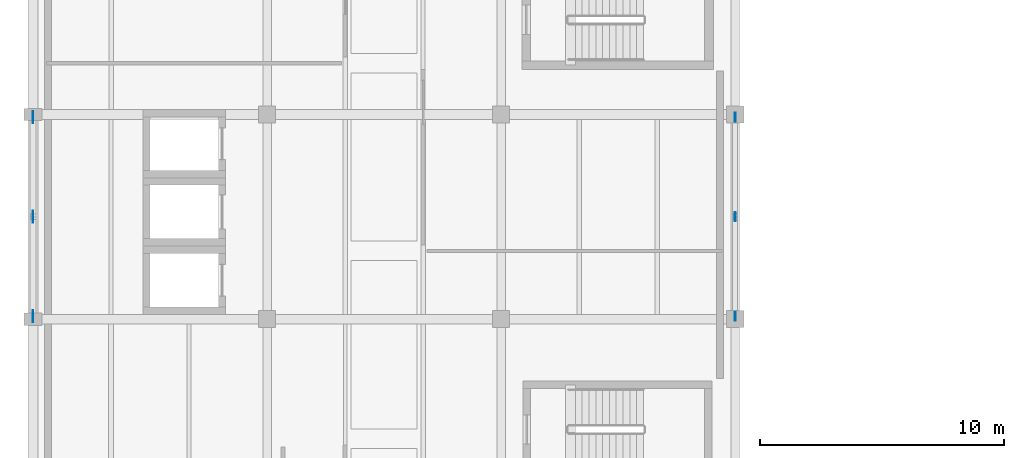
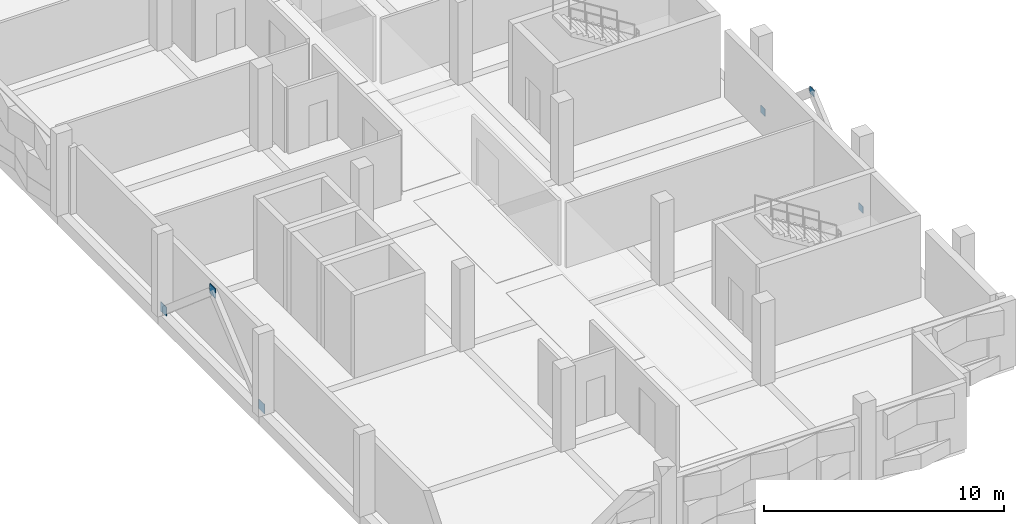
# One storey, part 32 of 57: 6 plates.
"""IFC4 building model written with IfcOpenShell, lengths in metres."""

from ifc_helpers import new_model, si_unit, direction, frame, origin, origin_2d, place, context, subcontext, project, spatial, rectangle, extrude, material, layer, layer_set, type_object, element, save


model = new_model("IFC4")

# Units and contexts
model_context = context("Model", 3, precision=1e-05, world=origin(), true_north=direction((0.0, 1.0)))
body_context = subcontext(model_context, "Body", "Model", "MODEL_VIEW")
ifc_project = project(units=[si_unit("LENGTHUNIT", "METRE"), si_unit("AREAUNIT", "SQUARE_METRE"), si_unit("VOLUMEUNIT", "CUBIC_METRE"), si_unit("PLANEANGLEUNIT", "RADIAN"), si_unit("MASSUNIT", "GRAM", prefix="KILO")], contexts=[model_context])

# Site, building, storey
site_placement = place(None, origin())
site = spatial("IfcSite", under=ifc_project, at=site_placement, CompositionType="ELEMENT")
building_placement = place(site_placement, origin())
building = spatial("IfcBuilding", under=site, at=building_placement, Name="Oolite Switchyard Hospital", CompositionType="ELEMENT")
storey_placement = place(building_placement, frame((0.0, 0.0, 17.800048828125)))
storey = spatial("IfcBuildingStorey", under=building, at=storey_placement, Name="L04", CompositionType="ELEMENT", Elevation=17.800048828125)

# Plates
ifc_material = material(Name="Steel ASTM A572 Grade 50", Category="steel")
ifc_layer_1 = layer(ifc_material, 0.02392578125)
ifc_layer_set_1 = layer_set([ifc_layer_1], Name="PLT-GUS-360")
plate_type_1 = type_object("IfcPlateType", Name="PLT-GUS-360", PredefinedType="SHEET", material=ifc_layer_set_1)
for number, where, z_axis, x_axis, name in (
    (1, (28.800048828125, 50.52001953125, 0.02001953125), (0.0, 0.0, 1.0), (0.0, 1.0, 0.0), "L04 Brace Base Gusset Plate 34"),
    (2, (28.800048828125, 58.679931640625, 0.02001953125), (0.0, 0.0, 1.0), (0.0, 1.0, 0.0), "L04 Brace Base Gusset Plate 35"),
    (3, (28.800048828125, 54.60009765625, 3.4697265625), (0.0, 0.0, 1.0), (0.0, 1.0, 0.0), "L04 Gusset Connection Plate 36"),
):
    element("IfcPlate", number, at=place(storey_placement, frame(where, z_axis=z_axis, x_axis=x_axis)), inside=storey, type_object=plate_type_1, Name=name, PredefinedType="SHEET", context=body_context, shape_type="SweptSolid", body=[
        extrude(rectangle(XDim=0.360107421875, YDim=0.02392578125, at=origin_2d()), origin(), (0.0, 0.0, 1.0), 0.360107421875),
    ])
ifc_layer_2 = layer(ifc_material, 0.031982421875)
ifc_layer_set_2 = layer_set([ifc_layer_2], Name="PLT-GUS-480")
plate_type_2 = type_object("IfcPlateType", Name="PLT-GUS-480", PredefinedType="SHEET", material=ifc_layer_set_2)
for number, where, z_axis, x_axis, name in (
    (4, (0.0, 50.52001953125, -0.0400390625), (0.0, 0.0, 1.0), (0.0, 1.0, 0.0), "L04 Brace Base Gusset Plate 13"),
    (5, (0.0, 58.679931640625, -0.0400390625), (0.0, 0.0, 1.0), (0.0, 1.0, 0.0), "L04 Brace Base Gusset Plate 14"),
    (6, (0.0, 54.60009765625, 3.35986328125), (0.0, 0.0, 1.0), (0.0, 1.0, 0.0), "L04 Gusset Connection Plate 15"),
):
    element("IfcPlate", number, at=place(storey_placement, frame(where, z_axis=z_axis, x_axis=x_axis)), inside=storey, type_object=plate_type_2, Name=name, PredefinedType="SHEET", context=body_context, shape_type="SweptSolid", body=[
        extrude(rectangle(XDim=0.47998046875, YDim=0.031982421875, at=origin_2d()), origin(), (0.0, 0.0, 1.0), 0.47998046875),
    ])

save(model, "model.ifc")
